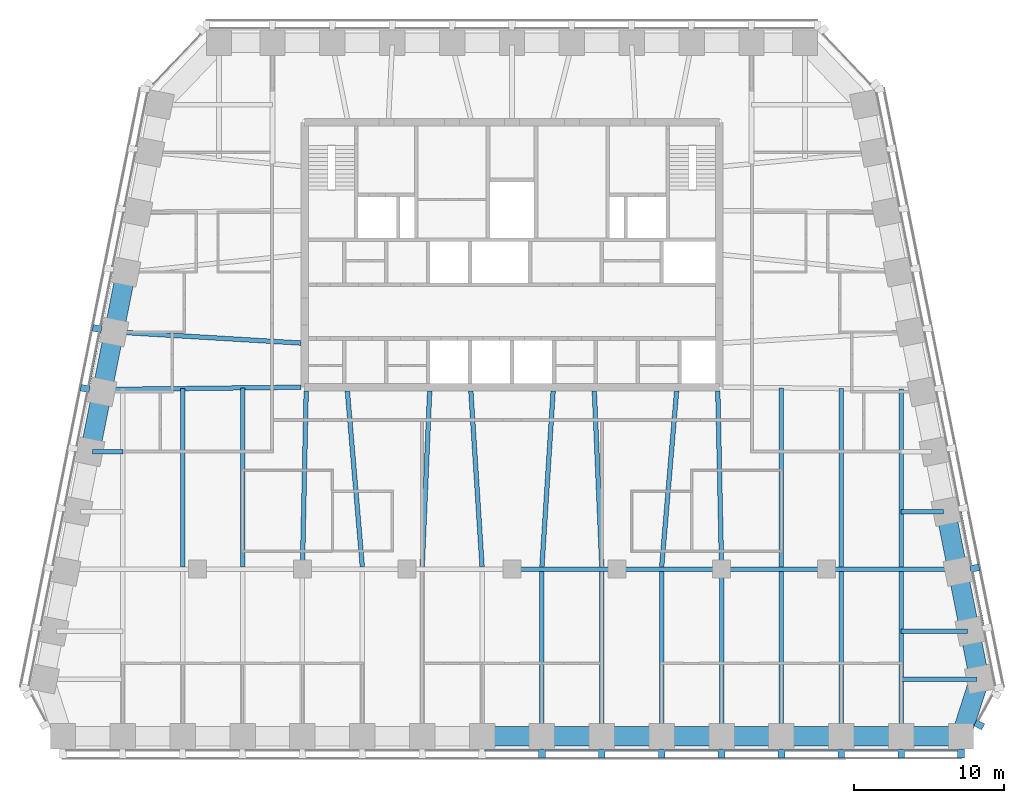
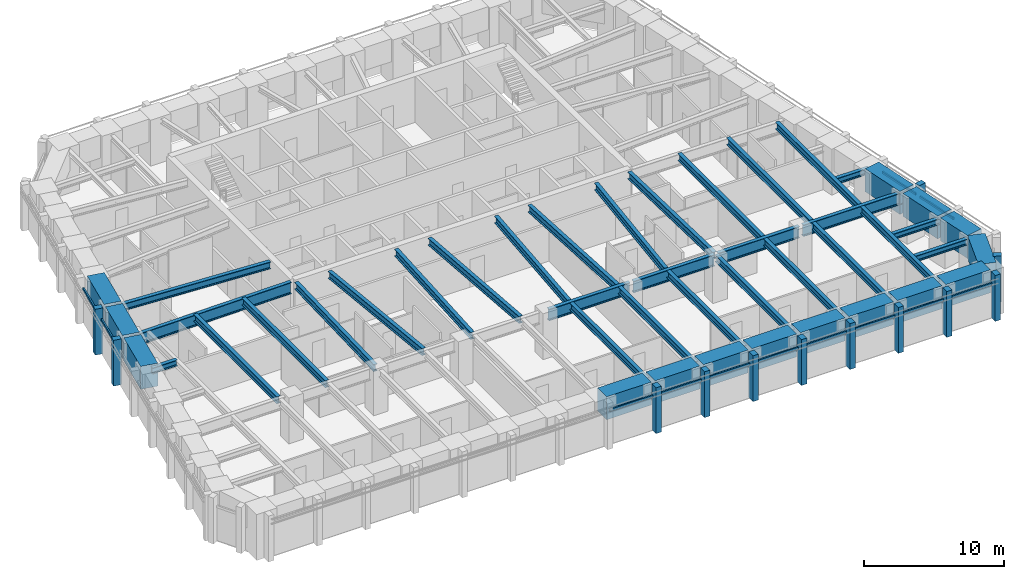
# One storey, part 2 of 11: 45 beams, 24 members, 4 elements without a shape of their own.
"""IFC4 building model written with IfcOpenShell, lengths in metres."""

from ifc_helpers import new_model, si_unit, direction, frame, origin, origin_2d, place, context, subcontext, project, spatial, rectangle, i_section, extrude, material, material_profile, profile_set, type_object, element, aggregate, save


model = new_model("IFC4")

# Units and contexts
model_context = context("Model", 3, precision=1e-05, world=origin(), true_north=direction((0.0, 1.0)))
body_context = subcontext(model_context, "Body", "Model", "MODEL_VIEW")
ifc_project = project(units=[si_unit("LENGTHUNIT", "METRE"), si_unit("AREAUNIT", "SQUARE_METRE"), si_unit("VOLUMEUNIT", "CUBIC_METRE"), si_unit("PLANEANGLEUNIT", "RADIAN"), si_unit("MASSUNIT", "GRAM", prefix="KILO")], contexts=[model_context])

# Site, building, storey
site_placement = place(None, origin())
site = spatial("IfcSite", under=ifc_project, at=site_placement, CompositionType="ELEMENT")
building_placement = place(site_placement, origin())
building = spatial("IfcBuilding", under=site, at=building_placement, Name="Isbrekke Arena Tower", CompositionType="ELEMENT")
storey_placement = place(building_placement, frame((0.0, 0.0, 252.0)))
storey = spatial("IfcBuildingStorey", under=building, at=storey_placement, Name="L58", CompositionType="ELEMENT", Elevation=252.0)

# Beams
ifc_material_1 = material(Name="Steel S355", Category="steel")
ifc_material_profile_1 = material_profile(ifc_material_1, i_section(OverallWidth=0.304931640625, OverallDepth=0.6201171875, WebThickness=0.02099609375, FlangeThickness=0.0400390625, FilletRadius=0.027099609375, at=origin_2d()), Name="HEM 600")
ifc_profile_set_1 = profile_set([ifc_material_profile_1], Name="Steel S355")
beam_type_1 = type_object("IfcBeamType", Name="B4 HEM 600", PredefinedType="BEAM", material=ifc_profile_set_1)
for number, where, z_axis, x_axis, name in (
    (1, (2.0, -17.02490234375, 3.5400390625), (0.0, 1.0, 0.0), (-1.0, 0.0, 0.0), "B4 beam S-S09 L58"),
    (2, (6.0, -17.02490234375, 3.5400390625), (0.0, 1.0, 0.0), (-1.0, 0.0, 0.0), "B4 beam S-S10 L58"),
    (3, (10.0, -17.02490234375, 3.5400390625), (0.0, 1.0, 0.0), (-1.0, 0.0, 0.0), "B4 beam S-S11 L58"),
):
    element("IfcBeam", number, at=place(storey_placement, frame(where, z_axis=z_axis, x_axis=x_axis)), inside=storey, type_object=beam_type_1, Name=name, PredefinedType="BEAM", context=body_context, shape_type="SweptSolid", body=[
        extrude(i_section(OverallWidth=0.304931640625, OverallDepth=0.6201171875, WebThickness=0.02099609375, FlangeThickness=0.0400390625, FilletRadius=0.027099609375, at=origin_2d()), origin(), (0.0, 0.0, 1.0), 10.8740234375),
    ])
beam_1_placement = place(storey_placement, frame((14.0, -17.02490234375, 3.5400390625), z_axis=(0.0, 1.0, 0.0), x_axis=(-1.0, 0.0, 0.0)))
element("IfcBeam", 4, at=beam_1_placement, inside=storey, type_object=beam_type_1, Name="B4 beam S-S12 L58", PredefinedType="BEAM", context=body_context, shape_type="SweptSolid", body=[
    extrude(i_section(OverallWidth=0.304931640625, OverallDepth=0.6201171875, WebThickness=0.02099609375, FlangeThickness=0.0400390625, FilletRadius=0.027099609375, at=origin_2d()), origin(), (0.0, 0.0, 1.0), 10.875),
])
for number, where, z_axis, x_axis, name in (
    (5, (18.0, -17.02490234375, 3.5400390625), (0.0, 1.0, 0.0), (-1.0, 0.0, 0.0), "B4 beam S-S13 L58"),
    (6, (22.0, -17.02490234375, 3.5400390625), (0.0, 1.0, 0.0), (-1.0, 0.0, 0.0), "B4 beam S-S14 L58"),
    (7, (26.0, -17.02490234375, 3.5400390625), (0.0, 1.0, 0.0), (-1.0, 0.0, 0.0), "B4 beam S-S15 L58"),
):
    element("IfcBeam", number, at=place(storey_placement, frame(where, z_axis=z_axis, x_axis=x_axis)), inside=storey, type_object=beam_type_1, Name=name, PredefinedType="BEAM", context=body_context, shape_type="SweptSolid", body=[
        extrude(i_section(OverallWidth=0.304931640625, OverallDepth=0.6201171875, WebThickness=0.02099609375, FlangeThickness=0.0400390625, FilletRadius=0.027099609375, at=origin_2d()), origin(), (0.0, 0.0, 1.0), 10.8740234375),
    ])
beam_2_placement = place(storey_placement, frame((-22.0, -5.84912109375, 3.5400390625), z_axis=(0.0, 1.0, 0.0), x_axis=(-1.0, 0.0, 0.0)))
element("IfcBeam", 8, at=beam_2_placement, inside=storey, type_object=beam_type_1, Name="B4 beam C-M02 L58", PredefinedType="BEAM", context=body_context, shape_type="SweptSolid", body=[
    extrude(i_section(OverallWidth=0.304931640625, OverallDepth=0.6201171875, WebThickness=0.02099609375, FlangeThickness=0.0400390625, FilletRadius=0.027099609375, at=origin_2d()), origin(), (0.0, 0.0, 1.0), 11.909912109375),
])
beam_3_placement = place(storey_placement, frame((-18.0, -5.84912109375, 3.5400390625), z_axis=(0.0, 1.0, 0.0), x_axis=(-1.0, 0.0, 0.0)))
element("IfcBeam", 9, at=beam_3_placement, inside=storey, type_object=beam_type_1, Name="B4 beam C-M03 L58", PredefinedType="BEAM", context=body_context, shape_type="SweptSolid", body=[
    extrude(i_section(OverallWidth=0.304931640625, OverallDepth=0.6201171875, WebThickness=0.02099609375, FlangeThickness=0.0400390625, FilletRadius=0.027099609375, at=origin_2d()), origin(), (0.0, 0.0, 1.0), 11.955078125),
])
beam_4_placement = place(storey_placement, frame((-14.0, -5.8466796875, 3.5400390625), z_axis=(0.021277968258, 0.999773598405, 0.0), x_axis=(-0.999773598405, 0.021277968258, 0.0)))
element("IfcBeam", 10, at=beam_4_placement, inside=storey, type_object=beam_type_1, Name="B4 beam C-M04 L58", PredefinedType="BEAM", context=body_context, shape_type="SweptSolid", body=[
    extrude(i_section(OverallWidth=0.304931640625, OverallDepth=0.6201171875, WebThickness=0.02099609375, FlangeThickness=0.0400390625, FilletRadius=0.027099609375, at=origin_2d()), origin(), (0.0, 0.0, 1.0), 11.749267578125),
])
beam_5_placement = place(storey_placement, frame((-10.0009765625, -5.836181640625, 3.5400390625), z_axis=(-0.084817344046, 0.996396516528, 0.0), x_axis=(-0.996396516528, -0.084817344046, 0.0)))
element("IfcBeam", 11, at=beam_5_placement, inside=storey, type_object=beam_type_1, Name="B4 beam C-M05 L58", PredefinedType="BEAM", context=body_context, shape_type="SweptSolid", body=[
    extrude(i_section(OverallWidth=0.304931640625, OverallDepth=0.6201171875, WebThickness=0.02099609375, FlangeThickness=0.0400390625, FilletRadius=0.027099609375, at=origin_2d()), origin(), (0.0, 0.0, 1.0), 11.778564453125),
])
beam_6_placement = place(storey_placement, frame((-5.999755859375, -5.842529296875, 3.5400390625), z_axis=(0.042521334166, 0.999095559064, 0.0), x_axis=(-0.999095559064, 0.042521334166, 0.0)))
element("IfcBeam", 12, at=beam_6_placement, inside=storey, type_object=beam_type_1, Name="B4 beam C-M06 L58", PredefinedType="BEAM", context=body_context, shape_type="SweptSolid", body=[
    extrude(i_section(OverallWidth=0.304931640625, OverallDepth=0.6201171875, WebThickness=0.02099609375, FlangeThickness=0.0400390625, FilletRadius=0.027099609375, at=origin_2d()), origin(), (0.0, 0.0, 1.0), 11.753173828125),
])
for number, where, z_axis, x_axis, name in (
    (13, (-2.000732421875, -5.83935546875, 3.5400390625), (-0.063696196046, 0.997969335506, 0.0), (-0.997969335506, -0.063696196046, 0.0), "B4 beam C-M07 L58"),
    (14, (2.000732421875, -5.83935546875, 3.5400390625), (0.063696196046, 0.997969335506, 0.0), (-0.997969335506, 0.063696196046, 0.0), "B4 beam C-M08 L58"),
):
    element("IfcBeam", number, at=place(storey_placement, frame(where, z_axis=z_axis, x_axis=x_axis)), inside=storey, type_object=beam_type_1, Name=name, PredefinedType="BEAM", context=body_context, shape_type="SweptSolid", body=[
        extrude(i_section(OverallWidth=0.304931640625, OverallDepth=0.6201171875, WebThickness=0.02099609375, FlangeThickness=0.0400390625, FilletRadius=0.027099609375, at=origin_2d()), origin(), (0.0, 0.0, 1.0), 11.76318359375),
    ])
beam_7_placement = place(storey_placement, frame((5.999755859375, -5.842529296875, 3.5400390625), z_axis=(-0.042521334166, 0.999095559064, 0.0), x_axis=(-0.999095559064, -0.042521334166, 0.0)))
element("IfcBeam", 15, at=beam_7_placement, inside=storey, type_object=beam_type_1, Name="B4 beam C-M09 L58", PredefinedType="BEAM", context=body_context, shape_type="SweptSolid", body=[
    extrude(i_section(OverallWidth=0.304931640625, OverallDepth=0.6201171875, WebThickness=0.02099609375, FlangeThickness=0.0400390625, FilletRadius=0.027099609375, at=origin_2d()), origin(), (0.0, 0.0, 1.0), 11.753173828125),
])
beam_8_placement = place(storey_placement, frame((10.0009765625, -5.836181640625, 3.5400390625), z_axis=(0.084817344046, 0.996396516528, 0.0), x_axis=(-0.996396516528, 0.084817344046, 0.0)))
element("IfcBeam", 16, at=beam_8_placement, inside=storey, type_object=beam_type_1, Name="B4 beam C-M10 L58", PredefinedType="BEAM", context=body_context, shape_type="SweptSolid", body=[
    extrude(i_section(OverallWidth=0.304931640625, OverallDepth=0.6201171875, WebThickness=0.02099609375, FlangeThickness=0.0400390625, FilletRadius=0.027099609375, at=origin_2d()), origin(), (0.0, 0.0, 1.0), 11.778564453125),
])
beam_9_placement = place(storey_placement, frame((14.0, -5.8466796875, 3.5400390625), z_axis=(-0.021277968258, 0.999773598405, 0.0), x_axis=(-0.999773598405, -0.021277968258, 0.0)))
element("IfcBeam", 17, at=beam_9_placement, inside=storey, type_object=beam_type_1, Name="B4 beam C-M11 L58", PredefinedType="BEAM", context=body_context, shape_type="SweptSolid", body=[
    extrude(i_section(OverallWidth=0.304931640625, OverallDepth=0.6201171875, WebThickness=0.02099609375, FlangeThickness=0.0400390625, FilletRadius=0.027099609375, at=origin_2d()), origin(), (0.0, 0.0, 1.0), 11.749267578125),
])
beam_10_placement = place(storey_placement, frame((18.0, -5.84912109375, 3.5400390625), z_axis=(0.0, 1.0, 0.0), x_axis=(-1.0, 0.0, 0.0)))
element("IfcBeam", 18, at=beam_10_placement, inside=storey, type_object=beam_type_1, Name="B4 beam C-M12 L58", PredefinedType="BEAM", context=body_context, shape_type="SweptSolid", body=[
    extrude(i_section(OverallWidth=0.304931640625, OverallDepth=0.6201171875, WebThickness=0.02099609375, FlangeThickness=0.0400390625, FilletRadius=0.027099609375, at=origin_2d()), origin(), (0.0, 0.0, 1.0), 11.955078125),
])
beam_11_placement = place(storey_placement, frame((22.0, -5.84912109375, 3.5400390625), z_axis=(0.0, 1.0, 0.0), x_axis=(-1.0, 0.0, 0.0)))
element("IfcBeam", 19, at=beam_11_placement, inside=storey, type_object=beam_type_1, Name="B4 beam C-M13 L58", PredefinedType="BEAM", context=body_context, shape_type="SweptSolid", body=[
    extrude(i_section(OverallWidth=0.304931640625, OverallDepth=0.6201171875, WebThickness=0.02099609375, FlangeThickness=0.0400390625, FilletRadius=0.027099609375, at=origin_2d()), origin(), (0.0, 0.0, 1.0), 11.909912109375),
])
beam_12_placement = place(storey_placement, frame((26.0, -5.84912109375, 3.5400390625), z_axis=(0.0, 1.0, 0.0), x_axis=(-1.0, 0.0, 0.0)))
element("IfcBeam", 20, at=beam_12_placement, inside=storey, type_object=beam_type_1, Name="B4 beam C-M14 L58", PredefinedType="BEAM", context=body_context, shape_type="SweptSolid", body=[
    extrude(i_section(OverallWidth=0.304931640625, OverallDepth=0.6201171875, WebThickness=0.02099609375, FlangeThickness=0.0400390625, FilletRadius=0.027099609375, at=origin_2d()), origin(), (0.0, 0.0, 1.0), 11.86474609375),
])
beam_13_placement = place(storey_placement, frame((-26.431884765625, 9.837646484375, 3.5400390625), z_axis=(0.998216240514, -0.059702070095, 0.0), x_axis=(0.059702070095, 0.998216240514, 0.0)))
element("IfcBeam", 21, at=beam_13_placement, inside=storey, type_object=beam_type_1, Name="B4 beam E-W05 L58", PredefinedType="BEAM", context=body_context, shape_type="SweptSolid", body=[
    extrude(i_section(OverallWidth=0.304931640625, OverallDepth=0.6201171875, WebThickness=0.02099609375, FlangeThickness=0.0400390625, FilletRadius=0.027099609375, at=origin_2d()), origin(), (0.0, 0.0, 1.0), 12.353759765625),
])
ifc_material_2 = material(Name="Steel S355", Category="steel")
ifc_material_profile_2 = material_profile(ifc_material_2, i_section(OverallWidth=0.305908203125, OverallDepth=0.52392578125, WebThickness=0.02099609375, FlangeThickness=0.0400390625, FilletRadius=0.027099609375, at=origin_2d()), Name="HEM 500")
ifc_profile_set_2 = profile_set([ifc_material_profile_2], Name="Steel S355")
beam_type_2 = type_object("IfcBeamType", Name="B5 HEM 500", PredefinedType="BEAM", material=ifc_profile_set_2)
beam_14_placement = place(storey_placement, frame((31.079345703125, -13.352783203125, 3.587890625), z_axis=(-1.0, 0.0, 0.0), x_axis=(0.0, -1.0, 0.0)))
element("IfcBeam", 22, at=beam_14_placement, inside=storey, type_object=beam_type_2, Name="B5 beam E-E01 L58", PredefinedType="BEAM", context=body_context, shape_type="SweptSolid", body=[
    extrude(i_section(OverallWidth=0.305908203125, OverallDepth=0.52392578125, WebThickness=0.02099609375, FlangeThickness=0.0400390625, FilletRadius=0.027099609375, at=origin_2d()), origin(), (0.0, 0.0, 1.0), 5.079345703125),
])
beam_15_placement = place(storey_placement, frame((30.44091796875, -10.161865234375, 3.587890625), z_axis=(-1.0, 0.0, 0.0), x_axis=(0.0, -1.0, 0.0)))
element("IfcBeam", 23, at=beam_15_placement, inside=storey, type_object=beam_type_2, Name="B5 beam E-E02 L58", PredefinedType="BEAM", context=body_context, shape_type="SweptSolid", body=[
    extrude(i_section(OverallWidth=0.305908203125, OverallDepth=0.52392578125, WebThickness=0.02099609375, FlangeThickness=0.0400390625, FilletRadius=0.027099609375, at=origin_2d()), origin(), (0.0, 0.0, 1.0), 4.44091796875),
])
beam_16_placement = place(storey_placement, frame((28.841064453125, -2.161865234375, 3.587890625), z_axis=(-1.0, 0.0, 0.0), x_axis=(0.0, -1.0, 0.0)))
element("IfcBeam", 24, at=beam_16_placement, inside=storey, type_object=beam_type_2, Name="B5 beam E-E04 L58", PredefinedType="BEAM", context=body_context, shape_type="SweptSolid", body=[
    extrude(i_section(OverallWidth=0.305908203125, OverallDepth=0.52392578125, WebThickness=0.02099609375, FlangeThickness=0.0400390625, FilletRadius=0.027099609375, at=origin_2d()), origin(), (0.0, 0.0, 1.0), 2.841064453125),
])
beam_17_placement = place(storey_placement, frame((-28.041015625, 1.838134765625, 3.587890625), z_axis=(1.0, 0.0, 0.0), x_axis=(0.0, 1.0, 0.0)))
element("IfcBeam", 25, at=beam_17_placement, inside=storey, type_object=beam_type_2, Name="B5 beam E-W07 L58", PredefinedType="BEAM", context=body_context, shape_type="SweptSolid", body=[
    extrude(i_section(OverallWidth=0.305908203125, OverallDepth=0.52392578125, WebThickness=0.02099609375, FlangeThickness=0.0400390625, FilletRadius=0.027099609375, at=origin_2d()), origin(), (0.0, 0.0, 1.0), 2.041015625),
])

# Curtain wall, members
ifc_material_3 = material(Name="Glazed aluminium curtain wall", Category="aluminium")
curtain_wall_type = type_object("IfcCurtainWallType", Name="CWT TOWER CURTAIN WALL TOP ZONE", PredefinedType="USERDEFINED", material=ifc_material_3)
curtain_wall_1_placement = place(storey_placement, origin())
curtain_wall_1 = element("IfcCurtainWall", 26, at=curtain_wall_1_placement, inside=storey, type_object=curtain_wall_type, Name="CWT curtain wall L58-S", ObjectType="TOWER CURTAIN WALL TOP ZONE", PredefinedType="USERDEFINED")
ifc_material_4 = material(Name="Copper-clad aluminium mullion", Category="aluminium")
ifc_material_profile_3 = material_profile(ifc_material_4, rectangle(XDim=0.449951171875, YDim=0.60009765625, at=origin_2d()), Name="PIER 450X600")
ifc_profile_set_3 = profile_set([ifc_material_profile_3], Name="Copper-clad aluminium mullion")
member_type_1 = type_object("IfcMemberType", Name="CWT-M PIER MULLION 450 x 600", PredefinedType="MULLION", material=ifc_profile_set_3)
member_1_placement = place(storey_placement, frame((2.0, -18.324951171875, 0.0), z_axis=(0.0, 0.0, 1.0), x_axis=(1.0, 0.0, 0.0)))
member_1 = element("IfcMember", 27, at=member_1_placement, type_object=member_type_1, Name="CWT-M mullion 9", PredefinedType="MULLION", context=body_context, shape_type="SweptSolid", body=[
    extrude(rectangle(XDim=0.449951171875, YDim=0.60009765625, at=origin_2d()), origin(), (0.0, 0.0, 1.0), 4.0),
])
member_2_placement = place(storey_placement, frame((6.0, -18.324951171875, 0.0), z_axis=(0.0, 0.0, 1.0), x_axis=(1.0, 0.0, 0.0)))
member_2 = element("IfcMember", 28, at=member_2_placement, type_object=member_type_1, Name="CWT-M mullion 10", PredefinedType="MULLION", context=body_context, shape_type="SweptSolid", body=[
    extrude(rectangle(XDim=0.449951171875, YDim=0.60009765625, at=origin_2d()), origin(), (0.0, 0.0, 1.0), 4.0),
])
member_3_placement = place(storey_placement, frame((10.0, -18.324951171875, 0.0), z_axis=(0.0, 0.0, 1.0), x_axis=(1.0, 0.0, 0.0)))
member_3 = element("IfcMember", 29, at=member_3_placement, type_object=member_type_1, Name="CWT-M mullion 11", PredefinedType="MULLION", context=body_context, shape_type="SweptSolid", body=[
    extrude(rectangle(XDim=0.449951171875, YDim=0.60009765625, at=origin_2d()), origin(), (0.0, 0.0, 1.0), 4.0),
])
member_4_placement = place(storey_placement, frame((14.0, -18.324951171875, 0.0), z_axis=(0.0, 0.0, 1.0), x_axis=(1.0, 0.0, 0.0)))
member_4 = element("IfcMember", 30, at=member_4_placement, type_object=member_type_1, Name="CWT-M mullion 12", PredefinedType="MULLION", context=body_context, shape_type="SweptSolid", body=[
    extrude(rectangle(XDim=0.449951171875, YDim=0.60009765625, at=origin_2d()), origin(), (0.0, 0.0, 1.0), 4.0),
])
member_5_placement = place(storey_placement, frame((18.0, -18.324951171875, 0.0), z_axis=(0.0, 0.0, 1.0), x_axis=(1.0, 0.0, 0.0)))
member_5 = element("IfcMember", 31, at=member_5_placement, type_object=member_type_1, Name="CWT-M mullion 13", PredefinedType="MULLION", context=body_context, shape_type="SweptSolid", body=[
    extrude(rectangle(XDim=0.449951171875, YDim=0.60009765625, at=origin_2d()), origin(), (0.0, 0.0, 1.0), 4.0),
])
member_6_placement = place(storey_placement, frame((22.0, -18.324951171875, 0.0), z_axis=(0.0, 0.0, 1.0), x_axis=(1.0, 0.0, 0.0)))
member_6 = element("IfcMember", 32, at=member_6_placement, type_object=member_type_1, Name="CWT-M mullion 14", PredefinedType="MULLION", context=body_context, shape_type="SweptSolid", body=[
    extrude(rectangle(XDim=0.449951171875, YDim=0.60009765625, at=origin_2d()), origin(), (0.0, 0.0, 1.0), 4.0),
])
member_7_placement = place(storey_placement, frame((26.0, -18.324951171875, 0.0), z_axis=(0.0, 0.0, 1.0), x_axis=(1.0, 0.0, 0.0)))
member_7 = element("IfcMember", 33, at=member_7_placement, type_object=member_type_1, Name="CWT-M mullion 15", PredefinedType="MULLION", context=body_context, shape_type="SweptSolid", body=[
    extrude(rectangle(XDim=0.449951171875, YDim=0.60009765625, at=origin_2d()), origin(), (0.0, 0.0, 1.0), 4.0),
])
member_8_placement = place(storey_placement, frame((30.0, -18.324951171875, 0.0), z_axis=(0.0, 0.0, 1.0), x_axis=(1.0, 0.0, 0.0)))
member_8 = element("IfcMember", 34, at=member_8_placement, type_object=member_type_1, Name="CWT-M mullion 16", PredefinedType="MULLION", context=body_context, shape_type="SweptSolid", body=[
    extrude(rectangle(XDim=0.449951171875, YDim=0.60009765625, at=origin_2d()), origin(), (0.0, 0.0, 1.0), 4.0),
])

# Curtain wall, member
curtain_wall_2_placement = place(storey_placement, origin())
curtain_wall_2 = element("IfcCurtainWall", 35, at=curtain_wall_2_placement, inside=storey, type_object=curtain_wall_type, Name="CWT curtain wall L58-SE", ObjectType="TOWER CURTAIN WALL TOP ZONE", PredefinedType="USERDEFINED")
member_9_placement = place(storey_placement, frame((31.218994140625, -16.406005859375, 0.0), z_axis=(0.0, 0.0, 1.0), x_axis=(0.481918749773, 0.876215908676, 0.0)))
member_9 = element("IfcMember", 36, at=member_9_placement, type_object=member_type_1, Name="CWT-M mullion 1", PredefinedType="MULLION", context=body_context, shape_type="SweptSolid", body=[
    extrude(rectangle(XDim=0.449951171875, YDim=0.60009765625, at=origin_2d()), origin(), (0.0, 0.0, 1.0), 4.0),
])
aggregate(curtain_wall_2, [member_9])

curtain_wall_3_placement = place(storey_placement, origin())
curtain_wall_3 = element("IfcCurtainWall", 37, at=curtain_wall_3_placement, inside=storey, type_object=curtain_wall_type, Name="CWT curtain wall L58-E", ObjectType="TOWER CURTAIN WALL TOP ZONE", PredefinedType="USERDEFINED")
member_10_placement = place(storey_placement, frame((30.918701171875, -5.936279296875, 0.0), z_axis=(0.0, 0.0, 1.0), x_axis=(-0.196116135138, 0.980580675691, 0.0)))
member_10 = element("IfcMember", 38, at=member_10_placement, type_object=member_type_1, Name="CWT-M mullion 3", PredefinedType="MULLION", context=body_context, shape_type="SweptSolid", body=[
    extrude(rectangle(XDim=0.449951171875, YDim=0.60009765625, at=origin_2d()), origin(), (0.0, 0.0, 1.0), 4.0),
])

# Curtain wall, members
curtain_wall_4_placement = place(storey_placement, origin())
curtain_wall_4 = element("IfcCurtainWall", 39, at=curtain_wall_4_placement, inside=storey, type_object=curtain_wall_type, Name="CWT curtain wall L58-W", ObjectType="TOWER CURTAIN WALL TOP ZONE", PredefinedType="USERDEFINED")
member_11_placement = place(storey_placement, frame((-27.71875, 10.063720703125, 0.0), z_axis=(0.0, 0.0, 1.0), x_axis=(-0.196116135138, -0.980580675691, 0.0)))
member_11 = element("IfcMember", 40, at=member_11_placement, type_object=member_type_1, Name="CWT-M mullion 5", PredefinedType="MULLION", context=body_context, shape_type="SweptSolid", body=[
    extrude(rectangle(XDim=0.449951171875, YDim=0.60009765625, at=origin_2d()), origin(), (0.0, 0.0, 1.0), 4.0),
])
member_12_placement = place(storey_placement, frame((-28.518798828125, 6.063720703125, 0.0), z_axis=(0.0, 0.0, 1.0), x_axis=(-0.196116135138, -0.980580675691, 0.0)))
member_12 = element("IfcMember", 41, at=member_12_placement, type_object=member_type_1, Name="CWT-M mullion 6", PredefinedType="MULLION", context=body_context, shape_type="SweptSolid", body=[
    extrude(rectangle(XDim=0.449951171875, YDim=0.60009765625, at=origin_2d()), origin(), (0.0, 0.0, 1.0), 4.0),
])

# Member
ifc_material_5 = material(Name="Aluminium transom", Category="aluminium")
ifc_material_profile_4 = material_profile(ifc_material_5, rectangle(XDim=0.1201171875, YDim=0.199951171875, at=origin_2d()), Name="TRANSOM 120X200")
ifc_profile_set_4 = profile_set([ifc_material_profile_4], Name="Aluminium transom")
member_type_2 = type_object("IfcMemberType", Name="CWT-T TRANSOM 120 x 200", PredefinedType="USERDEFINED", material=ifc_profile_set_4)
member_13_placement = place(storey_placement, frame((-1.77490234375, -18.125, 3.0), z_axis=(1.0, 0.0, 0.0), x_axis=(0.0, 1.0, 0.0)))
member_13 = element("IfcMember", 42, at=member_13_placement, type_object=member_type_2, Name="CWT-T transom 8", ObjectType="TRANSOM", PredefinedType="USERDEFINED", context=body_context, shape_type="SweptSolid", body=[
    extrude(rectangle(XDim=0.1201171875, YDim=0.199951171875, at=origin_2d()), origin(), (0.0, 0.0, 1.0), 3.5498046875),
])

member_14_placement = place(storey_placement, frame((2.22509765625, -18.125, 3.0), z_axis=(1.0, 0.0, 0.0), x_axis=(0.0, 1.0, 0.0)))
member_14 = element("IfcMember", 43, at=member_14_placement, type_object=member_type_2, Name="CWT-T transom 9", ObjectType="TRANSOM", PredefinedType="USERDEFINED", context=body_context, shape_type="SweptSolid", body=[
    extrude(rectangle(XDim=0.1201171875, YDim=0.199951171875, at=origin_2d()), origin(), (0.0, 0.0, 1.0), 3.5498046875),
])

member_15_placement = place(storey_placement, frame((6.22509765625, -18.125, 3.0), z_axis=(1.0, 0.0, 0.0), x_axis=(0.0, 1.0, 0.0)))
member_15 = element("IfcMember", 44, at=member_15_placement, type_object=member_type_2, Name="CWT-T transom 10", ObjectType="TRANSOM", PredefinedType="USERDEFINED", context=body_context, shape_type="SweptSolid", body=[
    extrude(rectangle(XDim=0.1201171875, YDim=0.199951171875, at=origin_2d()), origin(), (0.0, 0.0, 1.0), 3.5498046875),
])

member_16_placement = place(storey_placement, frame((10.22509765625, -18.125, 3.0), z_axis=(1.0, 0.0, 0.0), x_axis=(0.0, 1.0, 0.0)))
member_16 = element("IfcMember", 45, at=member_16_placement, type_object=member_type_2, Name="CWT-T transom 11", ObjectType="TRANSOM", PredefinedType="USERDEFINED", context=body_context, shape_type="SweptSolid", body=[
    extrude(rectangle(XDim=0.1201171875, YDim=0.199951171875, at=origin_2d()), origin(), (0.0, 0.0, 1.0), 3.5498046875),
])

member_17_placement = place(storey_placement, frame((14.22509765625, -18.125, 3.0), z_axis=(1.0, 0.0, 0.0), x_axis=(0.0, 1.0, 0.0)))
member_17 = element("IfcMember", 46, at=member_17_placement, type_object=member_type_2, Name="CWT-T transom 12", ObjectType="TRANSOM", PredefinedType="USERDEFINED", context=body_context, shape_type="SweptSolid", body=[
    extrude(rectangle(XDim=0.1201171875, YDim=0.199951171875, at=origin_2d()), origin(), (0.0, 0.0, 1.0), 3.5498046875),
])

member_18_placement = place(storey_placement, frame((18.22509765625, -18.125, 3.0), z_axis=(1.0, 0.0, 0.0), x_axis=(0.0, 1.0, 0.0)))
member_18 = element("IfcMember", 47, at=member_18_placement, type_object=member_type_2, Name="CWT-T transom 13", ObjectType="TRANSOM", PredefinedType="USERDEFINED", context=body_context, shape_type="SweptSolid", body=[
    extrude(rectangle(XDim=0.1201171875, YDim=0.199951171875, at=origin_2d()), origin(), (0.0, 0.0, 1.0), 3.5498046875),
])

member_19_placement = place(storey_placement, frame((22.22509765625, -18.125, 3.0), z_axis=(1.0, 0.0, 0.0), x_axis=(0.0, 1.0, 0.0)))
member_19 = element("IfcMember", 48, at=member_19_placement, type_object=member_type_2, Name="CWT-T transom 14", ObjectType="TRANSOM", PredefinedType="USERDEFINED", context=body_context, shape_type="SweptSolid", body=[
    extrude(rectangle(XDim=0.1201171875, YDim=0.199951171875, at=origin_2d()), origin(), (0.0, 0.0, 1.0), 3.5498046875),
])

member_20_placement = place(storey_placement, frame((26.22509765625, -18.125, 3.0), z_axis=(1.0, 0.0, 0.0), x_axis=(0.0, 1.0, 0.0)))
member_20 = element("IfcMember", 49, at=member_20_placement, type_object=member_type_2, Name="CWT-T transom 15", ObjectType="TRANSOM", PredefinedType="USERDEFINED", context=body_context, shape_type="SweptSolid", body=[
    extrude(rectangle(XDim=0.1201171875, YDim=0.199951171875, at=origin_2d()), origin(), (0.0, 0.0, 1.0), 3.5498046875),
])

aggregate(curtain_wall_1, [member_1, member_2, member_3, member_4, member_5, member_6, member_7, member_8, member_13, member_14, member_15, member_16, member_17, member_18, member_19, member_20])

member_21_placement = place(storey_placement, frame((31.478515625, -9.7548828125, 3.0), z_axis=(-0.196154943734, 0.980572913173, 0.0), x_axis=(-0.980572913173, -0.196154943734, 0.0)))
member_21 = element("IfcMember", 50, at=member_21_placement, type_object=member_type_2, Name="CWT-T transom 2", ObjectType="TRANSOM", PredefinedType="USERDEFINED", context=body_context, shape_type="SweptSolid", body=[
    extrude(rectangle(XDim=0.1201171875, YDim=0.199951171875, at=origin_2d()), origin(), (0.0, 0.0, 1.0), 3.62939453125),
])

member_22_placement = place(storey_placement, frame((30.678466796875, -5.7548828125, 3.0), z_axis=(-0.196090262229, 0.980585849918, 0.0), x_axis=(-0.980585849918, -0.196090262229, 0.0)))
member_22 = element("IfcMember", 51, at=member_22_placement, type_object=member_type_2, Name="CWT-T transom 3", ObjectType="TRANSOM", PredefinedType="USERDEFINED", context=body_context, shape_type="SweptSolid", body=[
    extrude(rectangle(XDim=0.1201171875, YDim=0.199951171875, at=origin_2d()), origin(), (0.0, 0.0, 1.0), 3.62939453125),
])

aggregate(curtain_wall_3, [member_10, member_21, member_22])

member_23_placement = place(storey_placement, frame((-26.7666015625, 13.803955078125, 3.0), z_axis=(-0.196154943734, -0.980572913173, 0.0), x_axis=(0.980572913173, -0.196154943734, 0.0)))
member_23 = element("IfcMember", 52, at=member_23_placement, type_object=member_type_2, Name="CWT-T transom 4", ObjectType="TRANSOM", PredefinedType="USERDEFINED", context=body_context, shape_type="SweptSolid", body=[
    extrude(rectangle(XDim=0.1201171875, YDim=0.199951171875, at=origin_2d()), origin(), (0.0, 0.0, 1.0), 3.62939453125),
])

member_24_placement = place(storey_placement, frame((-27.566650390625, 9.803955078125, 3.0), z_axis=(-0.196154943734, -0.980572913173, 0.0), x_axis=(0.980572913173, -0.196154943734, 0.0)))
member_24 = element("IfcMember", 53, at=member_24_placement, type_object=member_type_2, Name="CWT-T transom 5", ObjectType="TRANSOM", PredefinedType="USERDEFINED", context=body_context, shape_type="SweptSolid", body=[
    extrude(rectangle(XDim=0.1201171875, YDim=0.199951171875, at=origin_2d()), origin(), (0.0, 0.0, 1.0), 3.62939453125),
])

aggregate(curtain_wall_4, [member_11, member_12, member_23, member_24])

# Beams
ifc_material_6 = material(Name="Steel S355", Category="steel")
ifc_material_profile_5 = material_profile(ifc_material_6, i_section(OverallWidth=0.302001953125, OverallDepth=1.008056640625, WebThickness=0.02099609375, FlangeThickness=0.0400390625, FilletRadius=0.030029296875, at=origin_2d()), Name="HEM 1000")
ifc_profile_set_5 = profile_set([ifc_material_profile_5], Name="Steel S355")
beam_type_3 = type_object("IfcBeamType", Name="G1 HEM 1000", PredefinedType="BEAM", material=ifc_profile_set_5)
for number, where, z_axis, x_axis, name in (
    (54, (0.14990234375, -6.0, 3.345947265625), (1.0, 0.0, 0.0), (0.0, 1.0, 0.0), "G1 beam G1-05 L58"),
    (55, (7.14990234375, -6.0, 3.345947265625), (1.0, 0.0, 0.0), (0.0, 1.0, 0.0), "G1 beam G1-06 L58"),
    (56, (14.14990234375, -6.0, 3.345947265625), (1.0, 0.0, 0.0), (0.0, 1.0, 0.0), "G1 beam G1-07 L58"),
):
    element("IfcBeam", number, at=place(storey_placement, frame(where, z_axis=z_axis, x_axis=x_axis)), inside=storey, type_object=beam_type_3, Name=name, PredefinedType="BEAM", context=body_context, shape_type="SweptSolid", body=[
        extrude(i_section(OverallWidth=0.302001953125, OverallDepth=1.008056640625, WebThickness=0.02099609375, FlangeThickness=0.0400390625, FilletRadius=0.030029296875, at=origin_2d()), origin(), (0.0, 0.0, 1.0), 6.7001953125),
    ])
beam_18_placement = place(storey_placement, frame((21.14990234375, -6.0, 3.345947265625), z_axis=(1.0, 0.0, 0.0), x_axis=(0.0, 1.0, 0.0)))
element("IfcBeam", 57, at=beam_18_placement, inside=storey, type_object=beam_type_3, Name="G1 beam G1-08 L58", PredefinedType="BEAM", context=body_context, shape_type="SweptSolid", body=[
    extrude(i_section(OverallWidth=0.302001953125, OverallDepth=1.008056640625, WebThickness=0.02099609375, FlangeThickness=0.0400390625, FilletRadius=0.030029296875, at=origin_2d()), origin(), (0.0, 0.0, 1.0), 8.64111328125),
])
ifc_material_7 = material(Name="Steel S355", Category="steel")
ifc_material_profile_6 = material_profile(ifc_material_7, i_section(OverallWidth=0.302001953125, OverallDepth=1.008056640625, WebThickness=0.02099609375, FlangeThickness=0.0400390625, FilletRadius=0.030029296875, at=origin_2d()), Name="HEM 1000")
ifc_profile_set_6 = profile_set([ifc_material_profile_6], Name="Steel S355")
beam_type_4 = type_object("IfcBeamType", Name="G2 HEM 1000", PredefinedType="BEAM", material=ifc_profile_set_6)
beam_19_placement = place(storey_placement, frame((-14.10009765625, 6.14990234375, 3.345947265625), z_axis=(-0.999936387749, -0.011279204565, 0.0), x_axis=(0.011279204565, -0.999936387749, 0.0)))
element("IfcBeam", 58, at=beam_19_placement, inside=storey, type_object=beam_type_4, Name="G2 beam G2-W L58", PredefinedType="BEAM", context=body_context, shape_type="SweptSolid", body=[
    extrude(i_section(OverallWidth=0.302001953125, OverallDepth=1.008056640625, WebThickness=0.02099609375, FlangeThickness=0.0400390625, FilletRadius=0.030029296875, at=origin_2d()), origin(), (0.0, 0.0, 1.0), 13.2900390625),
])
ifc_material_8 = material(Name="Concrete B55 (C55/67)", Category="concrete")
ifc_material_profile_7 = material_profile(ifc_material_8, rectangle(XDim=1.300048828125, YDim=2.0, at=origin_2d()), Name="RC 1300x2000")
ifc_profile_set_7 = profile_set([ifc_material_profile_7], Name="Concrete B55 (C55/67)")
beam_type_5 = type_object("IfcBeamType", Name="SB4 RC 1300 x 2000", PredefinedType="SPANDREL", material=ifc_profile_set_7)
for number, where, z_axis, x_axis, name in (
    (59, (-1.85009765625, -17.175048828125, 3.0), (1.0, 0.0, 0.0), (0.0, 1.0, 0.0), "SB4 spandrel S08-S09 L58"),
    (60, (2.14990234375, -17.175048828125, 3.0), (1.0, 0.0, 0.0), (0.0, 1.0, 0.0), "SB4 spandrel S09-S10 L58"),
    (61, (6.14990234375, -17.175048828125, 3.0), (1.0, 0.0, 0.0), (0.0, 1.0, 0.0), "SB4 spandrel S10-S11 L58"),
    (62, (10.14990234375, -17.175048828125, 3.0), (1.0, 0.0, 0.0), (0.0, 1.0, 0.0), "SB4 spandrel S11-S12 L58"),
    (63, (14.14990234375, -17.175048828125, 3.0), (1.0, 0.0, 0.0), (0.0, 1.0, 0.0), "SB4 spandrel S12-S13 L58"),
    (64, (18.14990234375, -17.175048828125, 3.0), (1.0, 0.0, 0.0), (0.0, 1.0, 0.0), "SB4 spandrel S13-S14 L58"),
    (65, (22.14990234375, -17.175048828125, 3.0), (1.0, 0.0, 0.0), (0.0, 1.0, 0.0), "SB4 spandrel S14-S15 L58"),
    (66, (26.14990234375, -17.175048828125, 3.0), (1.0, 0.0, 0.0), (0.0, 1.0, 0.0), "SB4 spandrel S15-S16 L58"),
):
    element("IfcBeam", number, at=place(storey_placement, frame(where, z_axis=z_axis, x_axis=x_axis)), inside=storey, type_object=beam_type_5, Name=name, PredefinedType="SPANDREL", context=body_context, shape_type="SweptSolid", body=[
        extrude(rectangle(XDim=1.300048828125, YDim=2.0, at=origin_2d()), origin(), (0.0, 0.0, 1.0), 3.7001953125),
    ])
beam_20_placement = place(storey_placement, frame((30.0458984375, -17.0322265625, 3.0), z_axis=(0.306175101476, 0.951975213562, 0.0), x_axis=(-0.951975213562, 0.306175101476, 0.0)))
element("IfcBeam", 67, at=beam_20_placement, inside=storey, type_object=beam_type_5, Name="SB4 spandrel S16-E01 L58", PredefinedType="SPANDREL", context=body_context, shape_type="SweptSolid", body=[
    extrude(rectangle(XDim=1.300048828125, YDim=2.0, at=origin_2d()), origin(), (0.0, 0.0, 1.0), 3.715087890625),
])
beam_21_placement = place(storey_placement, frame((31.19970703125, -13.205810546875, 3.0), z_axis=(-0.196100243168, 0.980583853951, 0.0), x_axis=(-0.980583853951, -0.196100243168, 0.0)))
element("IfcBeam", 68, at=beam_21_placement, inside=storey, type_object=beam_type_5, Name="SB4 spandrel E01-E02 L58", PredefinedType="SPANDREL", context=body_context, shape_type="SweptSolid", body=[
    extrude(rectangle(XDim=1.300048828125, YDim=2.0, at=origin_2d()), origin(), (0.0, 0.0, 1.0), 2.954345703125),
])
beam_22_placement = place(storey_placement, frame((30.5615234375, -10.0146484375, 3.0), z_axis=(-0.1960664412, 0.980590613169, 0.0), x_axis=(-0.980590613169, -0.1960664412, 0.0)))
element("IfcBeam", 69, at=beam_22_placement, inside=storey, type_object=beam_type_5, Name="SB4 spandrel E02-E03 L58", PredefinedType="SPANDREL", context=body_context, shape_type="SweptSolid", body=[
    extrude(rectangle(XDim=1.300048828125, YDim=2.0, at=origin_2d()), origin(), (0.0, 0.0, 1.0), 3.779052734375),
])
beam_23_placement = place(storey_placement, frame((29.76171875, -6.0146484375, 3.0), z_axis=(-0.196128558387, 0.980578190959, 0.0), x_axis=(-0.980578190959, -0.196128558387, 0.0)))
element("IfcBeam", 70, at=beam_23_placement, inside=storey, type_object=beam_type_5, Name="SB4 spandrel E03-E04 L58", PredefinedType="SPANDREL", context=body_context, shape_type="SweptSolid", body=[
    extrude(rectangle(XDim=1.300048828125, YDim=2.0, at=origin_2d()), origin(), (0.0, 0.0, 1.0), 3.779296875),
])
beam_24_placement = place(storey_placement, frame((-25.820556640625, 13.691162109375, 3.0), z_axis=(-0.1960664412, -0.980590613169, 0.0), x_axis=(0.980590613169, -0.1960664412, 0.0)))
element("IfcBeam", 71, at=beam_24_placement, inside=storey, type_object=beam_type_5, Name="SB4 spandrel W04-W05 L58", PredefinedType="SPANDREL", context=body_context, shape_type="SweptSolid", body=[
    extrude(rectangle(XDim=1.300048828125, YDim=2.0, at=origin_2d()), origin(), (0.0, 0.0, 1.0), 3.779052734375),
])
for number, where, z_axis, x_axis, name in (
    (72, (-26.620361328125, 9.691162109375, 3.0), (-0.196128558387, -0.980578190959, 0.0), (0.980578190959, -0.196128558387, 0.0), "SB4 spandrel W05-W06 L58"),
    (73, (-27.42041015625, 5.691162109375, 3.0), (-0.196128558387, -0.980578190959, 0.0), (0.980578190959, -0.196128558387, 0.0), "SB4 spandrel W06-W07 L58"),
):
    element("IfcBeam", number, at=place(storey_placement, frame(where, z_axis=z_axis, x_axis=x_axis)), inside=storey, type_object=beam_type_5, Name=name, PredefinedType="SPANDREL", context=body_context, shape_type="SweptSolid", body=[
        extrude(rectangle(XDim=1.300048828125, YDim=2.0, at=origin_2d()), origin(), (0.0, 0.0, 1.0), 3.779296875),
    ])

save(model, "model.ifc")
